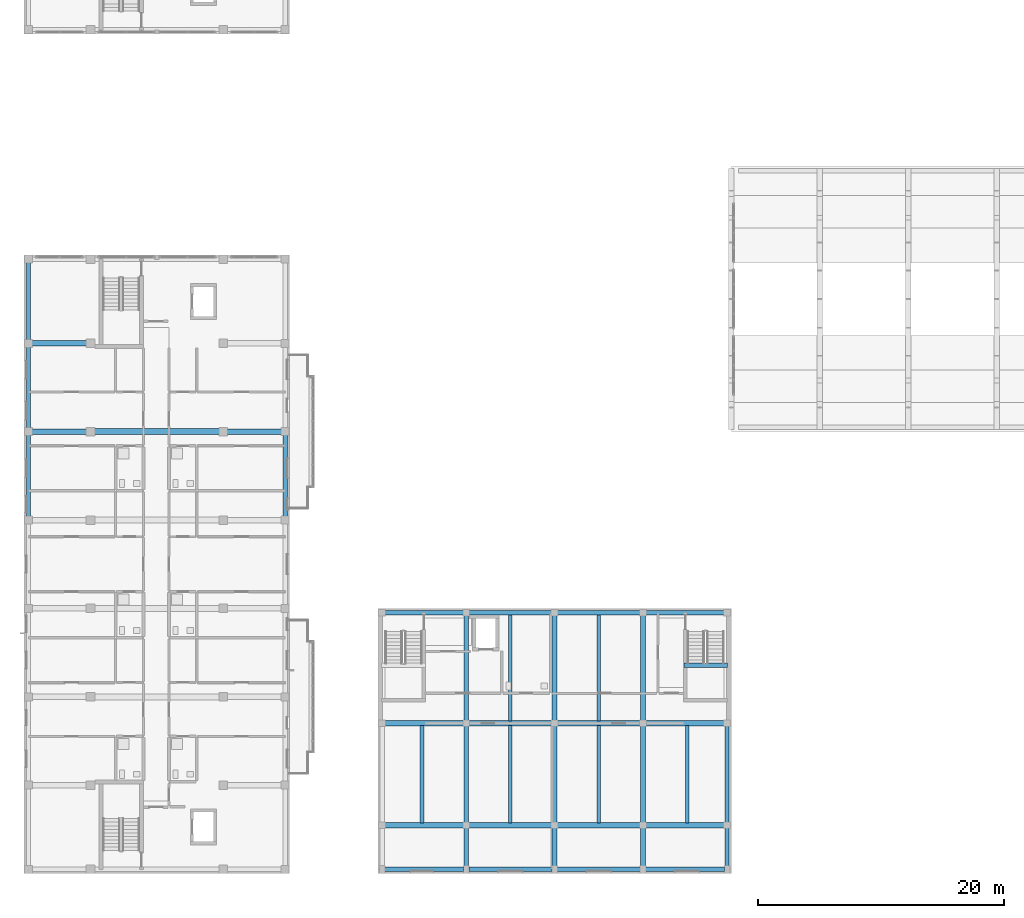
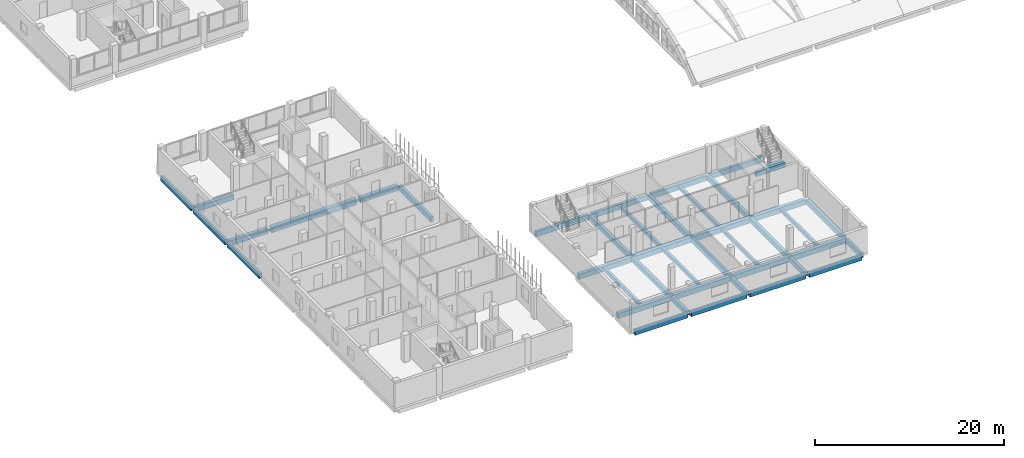
# One storey, part 9 of 73: 42 beams.
"""IFC4 building model written with IfcOpenShell, lengths in metres."""

from ifc_helpers import new_model, si_unit, derived_unit, direction, frame, origin, origin_2d, place, context, subcontext, project, spatial, rectangle, extrude, material, material_profile, profile_set, type_object, element, save


model = new_model("IFC4")

# Units and contexts
model_context = context("Model", 3, precision=1e-05, world=origin(), true_north=direction((0.0, 1.0)))
body_context = subcontext(model_context, "Body", "Model", "MODEL_VIEW")
ifc_project = project(units=[si_unit("LENGTHUNIT", "METRE"), si_unit("AREAUNIT", "SQUARE_METRE"), si_unit("VOLUMEUNIT", "CUBIC_METRE"), si_unit("PLANEANGLEUNIT", "RADIAN"), si_unit("MASSUNIT", "GRAM", prefix="KILO"), derived_unit("THERMALTRANSMITTANCEUNIT", [(si_unit("MASSUNIT", "GRAM", prefix="KILO"), 1), (si_unit("TIMEUNIT", "SECOND"), -3), (si_unit("THERMODYNAMICTEMPERATUREUNIT", "KELVIN"), -1)])], contexts=[model_context])

# Site, building, storey
site_placement = place(None, origin())
site = spatial("IfcSite", under=ifc_project, at=site_placement, CompositionType="ELEMENT")
building_placement = place(site_placement, origin())
building = spatial("IfcBuilding", under=site, at=building_placement, Name="Ochrekiln Boulevard Commons", CompositionType="ELEMENT")
storey_placement = place(building_placement, frame((0.0, 0.0, 8.574951171875)))
storey = spatial("IfcBuildingStorey", under=building, at=storey_placement, Name="L02", CompositionType="ELEMENT", Elevation=8.574951171875)

# Beams
ifc_material_1 = material(Name="Concrete C35/45", Category="concrete")
ifc_material_profile_1 = material_profile(ifc_material_1, rectangle(XDim=0.39990234375, YDim=0.60009765625, at=origin_2d()), Name="RC-BM-400x600")
ifc_profile_set_1 = profile_set([ifc_material_profile_1], Name="Concrete C35/45")
beam_type_1 = type_object("IfcBeamType", Name="BM-RC-400x600", PredefinedType="BEAM", material=ifc_profile_set_1)
beam_1_placement = place(storey_placement, frame((36.0, 0.56005859375, -0.574951171875), z_axis=(0.0, 1.0, 0.0), x_axis=(-1.0, 0.0, 0.0)))
element("IfcBeam", 1, at=beam_1_placement, inside=storey, type_object=beam_type_1, Name="West Boulevard Shops and Arcade L02 Beam B-4060 Y19", PredefinedType="BEAM", context=body_context, shape_type="SweptSolid", body=[
    extrude(rectangle(XDim=0.39990234375, YDim=0.60009765625, at=origin_2d()), origin(), (0.0, 0.0, 1.0), 3.179931640625),
])
beam_2_placement = place(storey_placement, frame((36.0, 4.159912109375, -0.574951171875), z_axis=(0.0, 1.0, 0.0), x_axis=(-1.0, 0.0, 0.0)))
element("IfcBeam", 2, at=beam_2_placement, inside=storey, type_object=beam_type_1, Name="West Boulevard Shops and Arcade L02 Beam B-4060 Y20", PredefinedType="BEAM", context=body_context, shape_type="SweptSolid", body=[
    extrude(rectangle(XDim=0.39990234375, YDim=0.60009765625, at=origin_2d()), origin(), (0.0, 0.0, 1.0), 7.880126953125),
])
beam_3_placement = place(storey_placement, frame((36.0, 12.4599609375, -0.574951171875), z_axis=(0.0, 1.0, 0.0), x_axis=(-1.0, 0.0, 0.0)))
element("IfcBeam", 3, at=beam_3_placement, inside=storey, type_object=beam_type_1, Name="West Boulevard Shops and Arcade L02 Beam B-4060 Y21", PredefinedType="BEAM", context=body_context, shape_type="SweptSolid", body=[
    extrude(rectangle(XDim=0.39990234375, YDim=0.60009765625, at=origin_2d()), origin(), (0.0, 0.0, 1.0), 8.580078125),
])
beam_4_placement = place(storey_placement, frame((43.199951171875, 0.56005859375, -0.574951171875), z_axis=(0.0, 1.0, 0.0), x_axis=(-1.0, 0.0, 0.0)))
element("IfcBeam", 4, at=beam_4_placement, inside=storey, type_object=beam_type_1, Name="West Boulevard Shops and Arcade L02 Beam B-4060 Y22", PredefinedType="BEAM", context=body_context, shape_type="SweptSolid", body=[
    extrude(rectangle(XDim=0.39990234375, YDim=0.60009765625, at=origin_2d()), origin(), (0.0, 0.0, 1.0), 3.179931640625),
])
beam_5_placement = place(storey_placement, frame((43.199951171875, 4.159912109375, -0.574951171875), z_axis=(0.0, 1.0, 0.0), x_axis=(-1.0, 0.0, 0.0)))
element("IfcBeam", 5, at=beam_5_placement, inside=storey, type_object=beam_type_1, Name="West Boulevard Shops and Arcade L02 Beam B-4060 Y23", PredefinedType="BEAM", context=body_context, shape_type="SweptSolid", body=[
    extrude(rectangle(XDim=0.39990234375, YDim=0.60009765625, at=origin_2d()), origin(), (0.0, 0.0, 1.0), 7.880126953125),
])
beam_6_placement = place(storey_placement, frame((43.199951171875, 12.4599609375, -0.574951171875), z_axis=(0.0, 1.0, 0.0), x_axis=(-1.0, 0.0, 0.0)))
element("IfcBeam", 6, at=beam_6_placement, inside=storey, type_object=beam_type_1, Name="West Boulevard Shops and Arcade L02 Beam B-4060 Y24", PredefinedType="BEAM", context=body_context, shape_type="SweptSolid", body=[
    extrude(rectangle(XDim=0.39990234375, YDim=0.60009765625, at=origin_2d()), origin(), (0.0, 0.0, 1.0), 8.580078125),
])
beam_7_placement = place(storey_placement, frame((50.39990234375, 0.56005859375, -0.574951171875), z_axis=(0.0, 1.0, 0.0), x_axis=(-1.0, 0.0, 0.0)))
element("IfcBeam", 7, at=beam_7_placement, inside=storey, type_object=beam_type_1, Name="West Boulevard Shops and Arcade L02 Beam B-4060 Y25", PredefinedType="BEAM", context=body_context, shape_type="SweptSolid", body=[
    extrude(rectangle(XDim=0.39990234375, YDim=0.60009765625, at=origin_2d()), origin(), (0.0, 0.0, 1.0), 3.179931640625),
])
beam_8_placement = place(storey_placement, frame((50.39990234375, 4.159912109375, -0.574951171875), z_axis=(0.0, 1.0, 0.0), x_axis=(-1.0, 0.0, 0.0)))
element("IfcBeam", 8, at=beam_8_placement, inside=storey, type_object=beam_type_1, Name="West Boulevard Shops and Arcade L02 Beam B-4060 Y26", PredefinedType="BEAM", context=body_context, shape_type="SweptSolid", body=[
    extrude(rectangle(XDim=0.39990234375, YDim=0.60009765625, at=origin_2d()), origin(), (0.0, 0.0, 1.0), 7.880126953125),
])
beam_9_placement = place(storey_placement, frame((50.39990234375, 12.4599609375, -0.574951171875), z_axis=(0.0, 1.0, 0.0), x_axis=(-1.0, 0.0, 0.0)))
element("IfcBeam", 9, at=beam_9_placement, inside=storey, type_object=beam_type_1, Name="West Boulevard Shops and Arcade L02 Beam B-4060 Y27", PredefinedType="BEAM", context=body_context, shape_type="SweptSolid", body=[
    extrude(rectangle(XDim=0.39990234375, YDim=0.60009765625, at=origin_2d()), origin(), (0.0, 0.0, 1.0), 8.580078125),
])
beam_10_placement = place(storey_placement, frame((53.719970703125, 16.969970703125, 1.239990234375), z_axis=(1.0, 0.0, 0.0), x_axis=(0.0, 1.0, 0.0)))
element("IfcBeam", 10, at=beam_10_placement, inside=storey, type_object=beam_type_1, Name="Stair ST-W2 L02 Half-Landing Support Beam B-4060", PredefinedType="BEAM", context=body_context, shape_type="SweptSolid", body=[
    extrude(rectangle(XDim=0.39990234375, YDim=0.60009765625, at=origin_2d()), origin(), (0.0, 0.0, 1.0), 3.56005859375),
])
ifc_material_profile_2 = material_profile(ifc_material_1, rectangle(XDim=0.449951171875, YDim=0.64990234375, at=origin_2d()), Name="RC-BM-450x650")
ifc_profile_set_2 = profile_set([ifc_material_profile_2], Name="Concrete C35/45")
beam_type_2 = type_object("IfcBeamType", Name="BM-RC-450x650", PredefinedType="BEAM", material=ifc_profile_set_2)
beam_11_placement = place(storey_placement, frame((0.56005859375, 36.0, -0.5849609375), z_axis=(1.0, 0.0, 0.0), x_axis=(0.0, 1.0, 0.0)))
element("IfcBeam", 11, at=beam_11_placement, inside=storey, type_object=beam_type_2, Name="Block D L02 Beam B-4565 X15", PredefinedType="BEAM", context=body_context, shape_type="SweptSolid", body=[
    extrude(rectangle(XDim=0.449951171875, YDim=0.64990234375, at=origin_2d()), origin(), (0.0, 0.0, 1.0), 4.6298828125),
])
beam_12_placement = place(storey_placement, frame((16.409912109375, 36.0, -0.5849609375), z_axis=(1.0, 0.0, 0.0), x_axis=(0.0, 1.0, 0.0)))
element("IfcBeam", 12, at=beam_12_placement, inside=storey, type_object=beam_type_2, Name="Block D L02 Beam B-4565 X17", PredefinedType="BEAM", context=body_context, shape_type="SweptSolid", body=[
    extrude(rectangle(XDim=0.449951171875, YDim=0.64990234375, at=origin_2d()), origin(), (0.0, 0.0, 1.0), 4.630126953125),
])
beam_13_placement = place(storey_placement, frame((0.56005859375, 43.199951171875, -0.5849609375), z_axis=(1.0, 0.0, 0.0), x_axis=(0.0, 1.0, 0.0)))
element("IfcBeam", 13, at=beam_13_placement, inside=storey, type_object=beam_type_2, Name="Block D L02 Beam B-4565 X18", PredefinedType="BEAM", context=body_context, shape_type="SweptSolid", body=[
    extrude(rectangle(XDim=0.449951171875, YDim=0.64990234375, at=origin_2d()), origin(), (0.0, 0.0, 1.0), 4.6298828125),
])
beam_14_placement = place(storey_placement, frame((29.360107421875, 3.949951171875, -0.599853515625), z_axis=(1.0, 0.0, 0.0), x_axis=(0.0, 1.0, 0.0)))
element("IfcBeam", 14, at=beam_14_placement, inside=storey, type_object=beam_type_2, Name="West Boulevard Shops and Arcade L02 Beam B-4565 X5", PredefinedType="BEAM", context=body_context, shape_type="SweptSolid", body=[
    extrude(rectangle(XDim=0.449951171875, YDim=0.64990234375, at=origin_2d()), origin(), (0.0, 0.0, 1.0), 6.429931640625),
])
for number, where, z_axis, x_axis, name in (
    (15, (36.2099609375, 3.949951171875, -0.599853515625), (1.0, 0.0, 0.0), (0.0, 1.0, 0.0), "West Boulevard Shops and Arcade L02 Beam B-4565 X6"),
    (16, (43.409912109375, 3.949951171875, -0.599853515625), (1.0, 0.0, 0.0), (0.0, 1.0, 0.0), "West Boulevard Shops and Arcade L02 Beam B-4565 X7"),
):
    element("IfcBeam", number, at=place(storey_placement, frame(where, z_axis=z_axis, x_axis=x_axis)), inside=storey, type_object=beam_type_2, Name=name, PredefinedType="BEAM", context=body_context, shape_type="SweptSolid", body=[
        extrude(rectangle(XDim=0.449951171875, YDim=0.64990234375, at=origin_2d()), origin(), (0.0, 0.0, 1.0), 6.780029296875),
    ])
for number, where, z_axis, x_axis, name in (
    (17, (50.610107421875, 3.949951171875, -0.599853515625), (1.0, 0.0, 0.0), (0.0, 1.0, 0.0), "West Boulevard Shops and Arcade L02 Beam B-4565 X8"),
    (18, (29.360107421875, 12.25, -0.599853515625), (1.0, 0.0, 0.0), (0.0, 1.0, 0.0), "West Boulevard Shops and Arcade L02 Beam B-4565 X9"),
):
    element("IfcBeam", number, at=place(storey_placement, frame(where, z_axis=z_axis, x_axis=x_axis)), inside=storey, type_object=beam_type_2, Name=name, PredefinedType="BEAM", context=body_context, shape_type="SweptSolid", body=[
        extrude(rectangle(XDim=0.449951171875, YDim=0.64990234375, at=origin_2d()), origin(), (0.0, 0.0, 1.0), 6.429931640625),
    ])
for number, where, z_axis, x_axis, name in (
    (19, (36.2099609375, 12.25, -0.599853515625), (1.0, 0.0, 0.0), (0.0, 1.0, 0.0), "West Boulevard Shops and Arcade L02 Beam B-4565 X10"),
    (20, (43.409912109375, 12.25, -0.599853515625), (1.0, 0.0, 0.0), (0.0, 1.0, 0.0), "West Boulevard Shops and Arcade L02 Beam B-4565 X11"),
):
    element("IfcBeam", number, at=place(storey_placement, frame(where, z_axis=z_axis, x_axis=x_axis)), inside=storey, type_object=beam_type_2, Name=name, PredefinedType="BEAM", context=body_context, shape_type="SweptSolid", body=[
        extrude(rectangle(XDim=0.449951171875, YDim=0.64990234375, at=origin_2d()), origin(), (0.0, 0.0, 1.0), 6.780029296875),
    ])
beam_15_placement = place(storey_placement, frame((50.610107421875, 12.25, -0.599853515625), z_axis=(1.0, 0.0, 0.0), x_axis=(0.0, 1.0, 0.0)))
element("IfcBeam", 21, at=beam_15_placement, inside=storey, type_object=beam_type_2, Name="West Boulevard Shops and Arcade L02 Beam B-4565 X12", PredefinedType="BEAM", context=body_context, shape_type="SweptSolid", body=[
    extrude(rectangle(XDim=0.449951171875, YDim=0.64990234375, at=origin_2d()), origin(), (0.0, 0.0, 1.0), 6.429931640625),
])
ifc_material_2 = material(Name="Concrete C40/50", Category="concrete")
ifc_material_profile_3 = material_profile(ifc_material_2, rectangle(XDim=0.5, YDim=0.699951171875, at=origin_2d()), Name="RC-BM-500x700")
ifc_profile_set_3 = profile_set([ifc_material_profile_3], Name="Concrete C40/50")
beam_type_3 = type_object("IfcBeamType", Name="BM-RC-500x700", PredefinedType="BEAM", material=ifc_profile_set_3)
beam_16_placement = place(storey_placement, frame((5.610107421875, 36.0, -0.60986328125), z_axis=(1.0, 0.0, 0.0), x_axis=(0.0, 1.0, 0.0)))
element("IfcBeam", 22, at=beam_16_placement, inside=storey, type_object=beam_type_3, Name="Block D L02 Beam B-5070 X16", PredefinedType="BEAM", context=body_context, shape_type="SweptSolid", body=[
    extrude(rectangle(XDim=0.5, YDim=0.699951171875, at=origin_2d()), origin(), (0.0, 0.0, 1.0), 10.3798828125),
])
ifc_material_profile_4 = material_profile(ifc_material_1, rectangle(XDim=0.300048828125, YDim=0.449951171875, at=origin_2d()), Name="RC-JST-300x450")
ifc_profile_set_4 = profile_set([ifc_material_profile_4], Name="Concrete C35/45")
beam_type_4 = type_object("IfcBeamType", Name="JST-RC-300x450", PredefinedType="JOIST", material=ifc_profile_set_4)
for number, where, z_axis, x_axis, name in (
    (23, (32.39990234375, 4.1201171875, -0.5), (0.0, 1.0, 0.0), (-1.0, 0.0, 0.0), "Boulevard Arcade L02 Floor Joist J-3045 (7)"),
    (24, (39.60009765625, 4.1201171875, -0.5), (0.0, 1.0, 0.0), (-1.0, 0.0, 0.0), "Boulevard Arcade L02 Floor Joist J-3045 (8)"),
):
    element("IfcBeam", number, at=place(storey_placement, frame(where, z_axis=z_axis, x_axis=x_axis)), inside=storey, type_object=beam_type_4, Name=name, PredefinedType="JOIST", context=body_context, shape_type="SweptSolid", body=[
        extrude(rectangle(XDim=0.300048828125, YDim=0.449951171875, at=origin_2d()), origin(), (0.0, 0.0, 1.0), 7.9599609375),
    ])
beam_17_placement = place(storey_placement, frame((39.60009765625, 12.419921875, -0.5), z_axis=(0.0, 1.0, 0.0), x_axis=(-1.0, 0.0, 0.0)))
element("IfcBeam", 25, at=beam_17_placement, inside=storey, type_object=beam_type_4, Name="Boulevard Arcade L02 Floor Joist J-3045 (9)", PredefinedType="JOIST", context=body_context, shape_type="SweptSolid", body=[
    extrude(rectangle(XDim=0.300048828125, YDim=0.449951171875, at=origin_2d()), origin(), (0.0, 0.0, 1.0), 8.66015625),
])
beam_18_placement = place(storey_placement, frame((46.800048828125, 4.1201171875, -0.5), z_axis=(0.0, 1.0, 0.0), x_axis=(-1.0, 0.0, 0.0)))
element("IfcBeam", 26, at=beam_18_placement, inside=storey, type_object=beam_type_4, Name="Boulevard Arcade L02 Floor Joist J-3045 (10)", PredefinedType="JOIST", context=body_context, shape_type="SweptSolid", body=[
    extrude(rectangle(XDim=0.300048828125, YDim=0.449951171875, at=origin_2d()), origin(), (0.0, 0.0, 1.0), 7.9599609375),
])
beam_19_placement = place(storey_placement, frame((46.800048828125, 12.419921875, -0.5), z_axis=(0.0, 1.0, 0.0), x_axis=(-1.0, 0.0, 0.0)))
element("IfcBeam", 27, at=beam_19_placement, inside=storey, type_object=beam_type_4, Name="Boulevard Arcade L02 Floor Joist J-3045 (11)", PredefinedType="JOIST", context=body_context, shape_type="SweptSolid", body=[
    extrude(rectangle(XDim=0.300048828125, YDim=0.449951171875, at=origin_2d()), origin(), (0.0, 0.0, 1.0), 8.66015625),
])
beam_20_placement = place(storey_placement, frame((54.0, 4.1201171875, -0.5), z_axis=(0.0, 1.0, 0.0), x_axis=(-1.0, 0.0, 0.0)))
element("IfcBeam", 28, at=beam_20_placement, inside=storey, type_object=beam_type_4, Name="Boulevard Arcade L02 Floor Joist J-3045 (12)", PredefinedType="JOIST", context=body_context, shape_type="SweptSolid", body=[
    extrude(rectangle(XDim=0.300048828125, YDim=0.449951171875, at=origin_2d()), origin(), (0.0, 0.0, 1.0), 7.9599609375),
])
ifc_material_profile_5 = material_profile(ifc_material_2, rectangle(XDim=0.35009765625, YDim=0.64990234375, at=origin_2d()), Name="RC-SPN-350x650")
ifc_profile_set_5 = profile_set([ifc_material_profile_5], Name="Concrete C40/50")
beam_type_5 = type_object("IfcBeamType", Name="SPN-RC-350x650", PredefinedType="SPANDREL", material=ifc_profile_set_5)
for number, where, z_axis, x_axis, name in (
    (29, (0.35009765625, 29.010009765625, -0.5849609375), (0.0, 1.0, 0.0), (-1.0, 0.0, 0.0), "Block D L02 Beam SP-3565 Y27"),
    (30, (0.35009765625, 36.2099609375, -0.5849609375), (0.0, 1.0, 0.0), (-1.0, 0.0, 0.0), "Block D L02 Beam SP-3565 Y28"),
):
    element("IfcBeam", number, at=place(storey_placement, frame(where, z_axis=z_axis, x_axis=x_axis)), inside=storey, type_object=beam_type_5, Name=name, PredefinedType="SPANDREL", context=body_context, shape_type="SweptSolid", body=[
        extrude(rectangle(XDim=0.35009765625, YDim=0.64990234375, at=origin_2d()), origin(), (0.0, 0.0, 1.0), 6.780029296875),
    ])
beam_21_placement = place(storey_placement, frame((0.35009765625, 43.409912109375, -0.5849609375), z_axis=(0.0, 1.0, 0.0), x_axis=(-1.0, 0.0, 0.0)))
element("IfcBeam", 31, at=beam_21_placement, inside=storey, type_object=beam_type_5, Name="Block D L02 Beam SP-3565 Y29", PredefinedType="SPANDREL", context=body_context, shape_type="SweptSolid", body=[
    extrude(rectangle(XDim=0.35009765625, YDim=0.64990234375, at=origin_2d()), origin(), (0.0, 0.0, 1.0), 6.43017578125),
])
beam_22_placement = place(storey_placement, frame((21.25, 29.010009765625, -0.5849609375), z_axis=(0.0, 1.0, 0.0), x_axis=(-1.0, 0.0, 0.0)))
element("IfcBeam", 32, at=beam_22_placement, inside=storey, type_object=beam_type_5, Name="Block D L02 Beam SP-3565 Y34", PredefinedType="SPANDREL", context=body_context, shape_type="SweptSolid", body=[
    extrude(rectangle(XDim=0.35009765625, YDim=0.64990234375, at=origin_2d()), origin(), (0.0, 0.0, 1.0), 6.780029296875),
])
beam_23_placement = place(storey_placement, frame((29.360107421875, 0.35009765625, -0.599853515625), z_axis=(1.0, 0.0, 0.0), x_axis=(0.0, 1.0, 0.0)))
element("IfcBeam", 33, at=beam_23_placement, inside=storey, type_object=beam_type_5, Name="West Boulevard Shops and Arcade L02 Beam SP-3565 X1", PredefinedType="SPANDREL", context=body_context, shape_type="SweptSolid", body=[
    extrude(rectangle(XDim=0.35009765625, YDim=0.64990234375, at=origin_2d()), origin(), (0.0, 0.0, 1.0), 6.429931640625),
])
for number, where, z_axis, x_axis, name in (
    (34, (36.2099609375, 0.35009765625, -0.599853515625), (1.0, 0.0, 0.0), (0.0, 1.0, 0.0), "West Boulevard Shops and Arcade L02 Beam SP-3565 X2"),
    (35, (43.409912109375, 0.35009765625, -0.599853515625), (1.0, 0.0, 0.0), (0.0, 1.0, 0.0), "West Boulevard Shops and Arcade L02 Beam SP-3565 X3"),
):
    element("IfcBeam", number, at=place(storey_placement, frame(where, z_axis=z_axis, x_axis=x_axis)), inside=storey, type_object=beam_type_5, Name=name, PredefinedType="SPANDREL", context=body_context, shape_type="SweptSolid", body=[
        extrude(rectangle(XDim=0.35009765625, YDim=0.64990234375, at=origin_2d()), origin(), (0.0, 0.0, 1.0), 6.780029296875),
    ])
for number, where, z_axis, x_axis, name in (
    (36, (50.610107421875, 0.35009765625, -0.599853515625), (1.0, 0.0, 0.0), (0.0, 1.0, 0.0), "West Boulevard Shops and Arcade L02 Beam SP-3565 X4"),
    (37, (29.360107421875, 21.25, -0.599853515625), (1.0, 0.0, 0.0), (0.0, 1.0, 0.0), "West Boulevard Shops and Arcade L02 Beam SP-3565 X13"),
):
    element("IfcBeam", number, at=place(storey_placement, frame(where, z_axis=z_axis, x_axis=x_axis)), inside=storey, type_object=beam_type_5, Name=name, PredefinedType="SPANDREL", context=body_context, shape_type="SweptSolid", body=[
        extrude(rectangle(XDim=0.35009765625, YDim=0.64990234375, at=origin_2d()), origin(), (0.0, 0.0, 1.0), 6.429931640625),
    ])
for number, where, z_axis, x_axis, name in (
    (38, (36.2099609375, 21.25, -0.599853515625), (1.0, 0.0, 0.0), (0.0, 1.0, 0.0), "West Boulevard Shops and Arcade L02 Beam SP-3565 X14"),
    (39, (43.409912109375, 21.25, -0.599853515625), (1.0, 0.0, 0.0), (0.0, 1.0, 0.0), "West Boulevard Shops and Arcade L02 Beam SP-3565 X15"),
):
    element("IfcBeam", number, at=place(storey_placement, frame(where, z_axis=z_axis, x_axis=x_axis)), inside=storey, type_object=beam_type_5, Name=name, PredefinedType="SPANDREL", context=body_context, shape_type="SweptSolid", body=[
        extrude(rectangle(XDim=0.35009765625, YDim=0.64990234375, at=origin_2d()), origin(), (0.0, 0.0, 1.0), 6.780029296875),
    ])
beam_24_placement = place(storey_placement, frame((50.610107421875, 21.25, -0.599853515625), z_axis=(1.0, 0.0, 0.0), x_axis=(0.0, 1.0, 0.0)))
element("IfcBeam", 40, at=beam_24_placement, inside=storey, type_object=beam_type_5, Name="West Boulevard Shops and Arcade L02 Beam SP-3565 X16", PredefinedType="SPANDREL", context=body_context, shape_type="SweptSolid", body=[
    extrude(rectangle(XDim=0.35009765625, YDim=0.64990234375, at=origin_2d()), origin(), (0.0, 0.0, 1.0), 6.429931640625),
])
beam_25_placement = place(storey_placement, frame((57.25, 0.56005859375, -0.599853515625), z_axis=(0.0, 1.0, 0.0), x_axis=(-1.0, 0.0, 0.0)))
element("IfcBeam", 41, at=beam_25_placement, inside=storey, type_object=beam_type_5, Name="West Boulevard Shops and Arcade L02 Beam SP-3565 Y28", PredefinedType="SPANDREL", context=body_context, shape_type="SweptSolid", body=[
    extrude(rectangle(XDim=0.35009765625, YDim=0.64990234375, at=origin_2d()), origin(), (0.0, 0.0, 1.0), 3.179931640625),
])
beam_26_placement = place(storey_placement, frame((57.25, 4.159912109375, -0.599853515625), z_axis=(0.0, 1.0, 0.0), x_axis=(-1.0, 0.0, 0.0)))
element("IfcBeam", 42, at=beam_26_placement, inside=storey, type_object=beam_type_5, Name="West Boulevard Shops and Arcade L02 Beam SP-3565 Y29", PredefinedType="SPANDREL", context=body_context, shape_type="SweptSolid", body=[
    extrude(rectangle(XDim=0.35009765625, YDim=0.64990234375, at=origin_2d()), origin(), (0.0, 0.0, 1.0), 7.880126953125),
])

save(model, "model.ifc")
